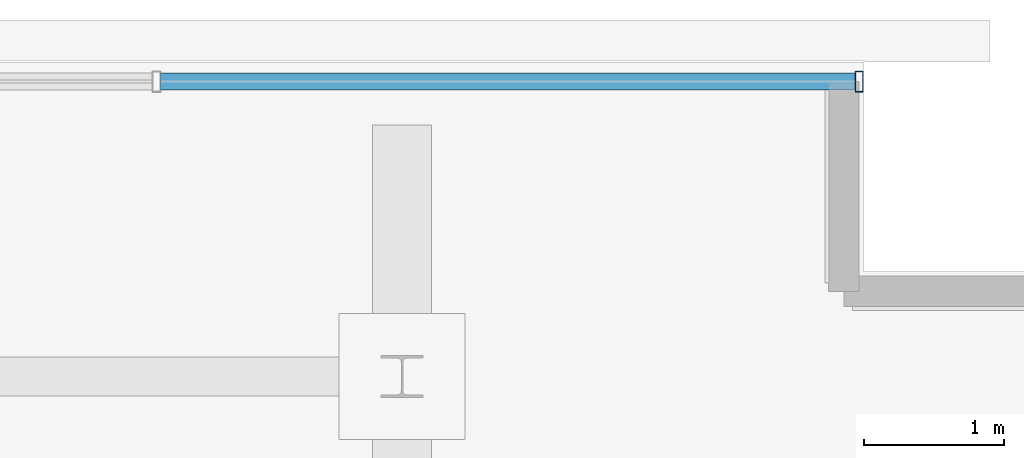
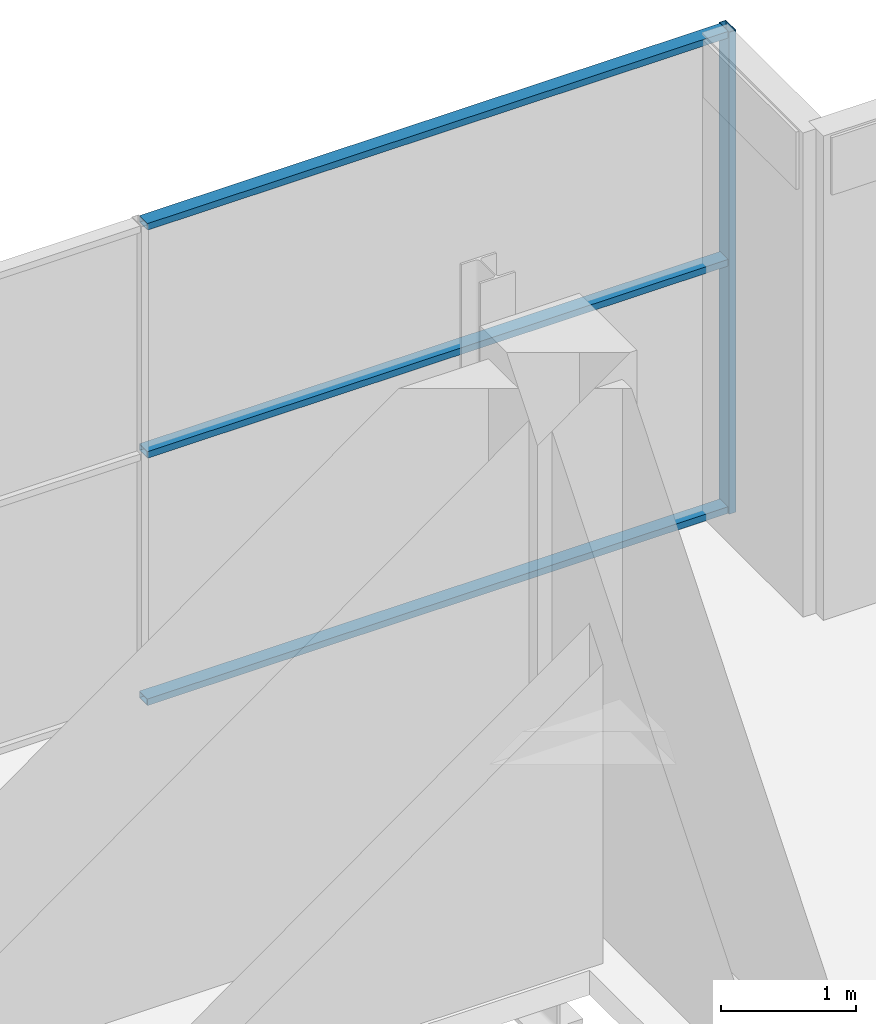
# One storey, part 22 of 28: 4 members, 1 element without a shape of its own.
"""IFC4 building model written with IfcOpenShell, lengths in metres."""

from ifc_helpers import new_model, si_unit, direction, frame, origin, origin_2d, place, context, subcontext, project, spatial, hollow_rectangle, extrude, source, transform, mapped, material, layer, layer_set, material_profile, profile_set, type_object, element, aggregate, save


model = new_model("IFC4")

# Units and contexts
model_context = context("Model", 3, precision=1e-05, world=origin(), true_north=direction((0.0, 1.0)))
body_context = subcontext(model_context, "Body", "Model", "MODEL_VIEW")
ifc_project = project(units=[si_unit("LENGTHUNIT", "METRE"), si_unit("AREAUNIT", "SQUARE_METRE"), si_unit("VOLUMEUNIT", "CUBIC_METRE"), si_unit("PLANEANGLEUNIT", "RADIAN"), si_unit("MASSUNIT", "GRAM", prefix="KILO")], contexts=[model_context])

# Site, building, storey
site_placement = place(None, origin())
site = spatial("IfcSite", under=ifc_project, at=site_placement, CompositionType="ELEMENT")
building_placement = place(site_placement, origin())
building = spatial("IfcBuilding", under=site, at=building_placement, Name="Zarnakvel Exchange Tower", CompositionType="ELEMENT")
storey_placement = place(building_placement, frame((0.0, 0.0, 271.60009765625)))
storey = spatial("IfcBuildingStorey", under=building, at=storey_placement, Name="Crown L77", CompositionType="ELEMENT", Elevation=271.60009765625)

# Curtain wall, members
ifc_material = material(Name="Architectural Bronze Anodised Aluminium", Category="aluminium")
ifc_layer = layer(ifc_material, 0.14990234375)
ifc_layer_set = layer_set([ifc_layer], Name="Architectural Bronze Anodised Aluminium")
curtain_wall_type = type_object("IfcCurtainWallType", Name="CW-07", PredefinedType="NOTDEFINED", material=ifc_layer_set)
curtain_wall_placement = place(storey_placement, origin())
curtain_wall = element("IfcCurtainWall", 1, at=curtain_wall_placement, inside=storey, type_object=curtain_wall_type, Name="Crown L77 Curtain Wall CW-Crown L77-N (CW-07)", PredefinedType="NOTDEFINED")
ifc_material_profile_1 = material_profile(ifc_material, hollow_rectangle(XDim=0.14990234375, YDim=0.06005859375, WallThickness=0.00390625, at=origin_2d()))
ifc_profile_set_1 = profile_set([ifc_material_profile_1], Name="Architectural Bronze Anodised Aluminium")
member_type_1 = type_object("IfcMemberType", Name="CWM-07", PredefinedType="MULLION", material=ifc_profile_set_1)
shared_shape_1 = source(origin(), body_context, "Body", "SweptSolid", [
    extrude(hollow_rectangle(XDim=0.14990234375, YDim=0.06005859375, WallThickness=0.00390625, at=origin_2d()), origin(), (0.0, 0.0, 1.0), 4.35986328125),
])
member_1_placement = place(storey_placement, frame((17.669921875, 16.659912109375, 0.0), z_axis=(0.0, 0.0, 1.0), x_axis=(0.0, 1.0, 0.0)))
member_1 = element("IfcMember", 2, at=member_1_placement, type_object=member_type_1, Name="CW-07 mullion 8", PredefinedType="MULLION", context=body_context, shape_type="MappedRepresentation", body=[
    mapped(shared_shape_1, transform((0.0, 0.0, 0.0), x_axis=(1.0, 0.0, 0.0), y_axis=(0.0, 1.0, 0.0), z_axis=(0.0, 0.0, 1.0), scale=1.0)),
])
ifc_material_profile_2 = material_profile(ifc_material, hollow_rectangle(XDim=0.1201171875, YDim=0.06005859375, WallThickness=0.00390625, at=origin_2d()))
ifc_profile_set_2 = profile_set([ifc_material_profile_2], Name="Architectural Bronze Anodised Aluminium")
member_type_2 = type_object("IfcMemberType", Name="CWT-07", PredefinedType="USERDEFINED", material=ifc_profile_set_2)
shared_shape_2 = source(origin(), body_context, "Body", "SweptSolid", [
    extrude(hollow_rectangle(XDim=0.1201171875, YDim=0.06005859375, WallThickness=0.00390625, at=origin_2d()), origin(), (0.0, 0.0, 1.0), 4.967041015625),
])
member_2_placement = place(storey_placement, frame((12.6728515625, 16.659912109375, 0.02978515625), z_axis=(1.0, 0.0, 0.0), x_axis=(0.0, 1.0, 0.0)))
member_2 = element("IfcMember", 3, at=member_2_placement, type_object=member_type_2, Name="CW-07 transom 7.1", ObjectType="TRANSOM", PredefinedType="USERDEFINED", context=body_context, shape_type="MappedRepresentation", body=[
    mapped(shared_shape_2, transform((0.0, 0.0, 0.0), x_axis=(1.0, 0.0, 0.0), y_axis=(0.0, 1.0, 0.0), z_axis=(0.0, 0.0, 1.0), scale=1.0)),
])
member_3_placement = place(storey_placement, frame((12.6728515625, 16.659912109375, 2.26708984375), z_axis=(1.0, 0.0, 0.0), x_axis=(0.0, 1.0, 0.0)))
member_3 = element("IfcMember", 4, at=member_3_placement, type_object=member_type_2, Name="CW-07 transom 7.2", ObjectType="TRANSOM", PredefinedType="USERDEFINED", context=body_context, shape_type="MappedRepresentation", body=[
    mapped(shared_shape_2, transform((0.0, 0.0, 0.0), x_axis=(1.0, 0.0, 0.0), y_axis=(0.0, 1.0, 0.0), z_axis=(0.0, 0.0, 1.0), scale=1.0)),
])
member_4_placement = place(storey_placement, frame((12.6728515625, 16.659912109375, 4.329833984375), z_axis=(1.0, 0.0, 0.0), x_axis=(0.0, 1.0, 0.0)))
member_4 = element("IfcMember", 5, at=member_4_placement, type_object=member_type_2, Name="CW-07 transom 7.3", ObjectType="TRANSOM", PredefinedType="USERDEFINED", context=body_context, shape_type="MappedRepresentation", body=[
    mapped(shared_shape_2, transform((0.0, 0.0, 0.0), x_axis=(1.0, 0.0, 0.0), y_axis=(0.0, 1.0, 0.0), z_axis=(0.0, 0.0, 1.0), scale=1.0)),
])
aggregate(curtain_wall, [member_1, member_2, member_3, member_4])

save(model, "model.ifc")
